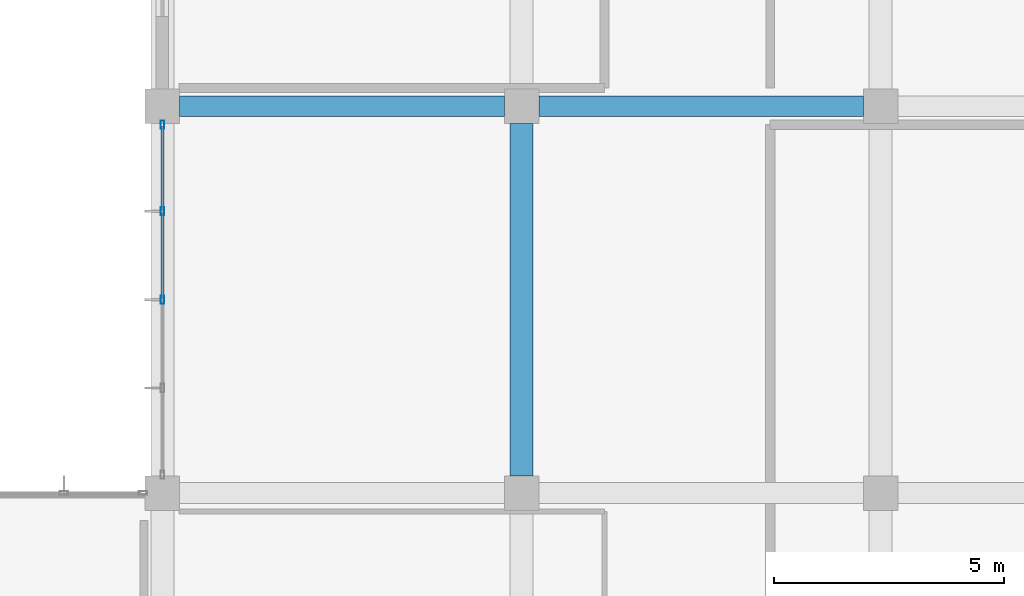
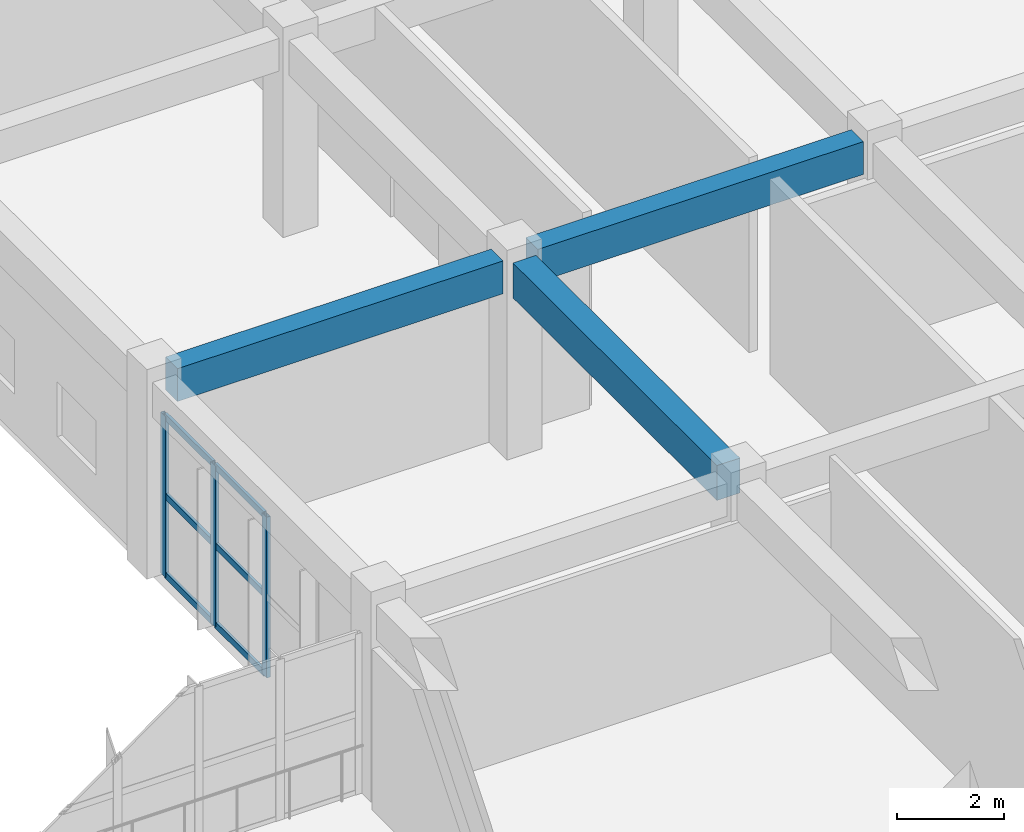
# One storey, part 64 of 175: 9 members, 3 beams, 1 element without a shape of its own.
"""IFC4 building model written with IfcOpenShell, lengths in metres."""

from ifc_helpers import new_model, si_unit, direction, frame, origin, origin_2d, place, context, subcontext, project, spatial, rectangle, hollow_rectangle, extrude, material, layer, layer_set, material_profile, profile_set, type_object, element, aggregate, save


model = new_model("IFC4")

# Units and contexts
model_context = context("Model", 3, precision=1e-05, world=origin(), true_north=direction((0.0, 1.0)))
body_context = subcontext(model_context, "Body", "Model", "MODEL_VIEW")
ifc_project = project(units=[si_unit("LENGTHUNIT", "METRE"), si_unit("AREAUNIT", "SQUARE_METRE"), si_unit("VOLUMEUNIT", "CUBIC_METRE"), si_unit("PLANEANGLEUNIT", "RADIAN"), si_unit("MASSUNIT", "GRAM", prefix="KILO")], contexts=[model_context])

# Site, building, storey
site_placement = place(None, origin())
site = spatial("IfcSite", under=ifc_project, at=site_placement, CompositionType="ELEMENT")
building_placement = place(site_placement, origin())
building = spatial("IfcBuilding", under=site, at=building_placement, Name="Zizhar Promenade General Hospital", CompositionType="ELEMENT")
storey_placement = place(building_placement, frame((0.0, 0.0, 4.800048828125)))
storey = spatial("IfcBuildingStorey", under=building, at=storey_placement, Name="L01", CompositionType="ELEMENT", Elevation=4.800048828125)

# Beams
ifc_material_1 = material(Name="Concrete C35/45", Category="concrete")
ifc_material_profile_1 = material_profile(ifc_material_1, rectangle(XDim=0.449951171875, YDim=0.75, at=origin_2d()))
ifc_profile_set_1 = profile_set([ifc_material_profile_1], Name="Concrete C35/45")
beam_type_1 = type_object("IfcBeamType", Name="BM-RC-450x750", PredefinedType="BEAM", material=ifc_profile_set_1)
beam_1_placement = place(storey_placement, frame((47.175048828125, 92.39990234375, 4.094970703125), z_axis=(1.0, 0.0, 0.0), x_axis=(0.0, 1.0, 0.0)))
element("IfcBeam", 1, at=beam_1_placement, inside=storey, type_object=beam_type_1, Name="Grid Beam X L01 (6-11)", PredefinedType="BEAM", context=body_context, shape_type="SweptSolid", body=[
    extrude(rectangle(XDim=0.449951171875, YDim=0.75, at=origin_2d()), origin(), (0.0, 0.0, 1.0), 7.050048828125),
])
beam_2_placement = place(storey_placement, frame((54.97509765625, 92.39990234375, 4.094970703125), z_axis=(1.0, 0.0, 0.0), x_axis=(0.0, 1.0, 0.0)))
element("IfcBeam", 2, at=beam_2_placement, inside=storey, type_object=beam_type_1, Name="Grid Beam X L01 (7-11)", PredefinedType="BEAM", context=body_context, shape_type="SweptSolid", body=[
    extrude(rectangle(XDim=0.449951171875, YDim=0.75, at=origin_2d()), origin(), (0.0, 0.0, 1.0), 7.0498046875),
])
ifc_material_2 = material(Name="Concrete C35/45", Category="concrete")
ifc_material_profile_2 = material_profile(ifc_material_2, rectangle(XDim=0.5, YDim=0.800048828125, at=origin_2d()))
ifc_profile_set_2 = profile_set([ifc_material_profile_2], Name="Concrete C35/45")
beam_type_2 = type_object("IfcBeamType", Name="BM-RC-500x800", PredefinedType="BEAM", material=ifc_profile_set_2)
beam_3_placement = place(storey_placement, frame((54.60009765625, 84.375, 4.070068359375), z_axis=(0.0, 1.0, 0.0), x_axis=(-1.0, 0.0, 0.0)))
element("IfcBeam", 3, at=beam_3_placement, inside=storey, type_object=beam_type_2, Name="Grid Beam Y L01 (7-10)", PredefinedType="BEAM", context=body_context, shape_type="SweptSolid", body=[
    extrude(rectangle(XDim=0.5, YDim=0.800048828125, at=origin_2d()), origin(), (0.0, 0.0, 1.0), 7.64990234375),
])

# Curtain wall, members
ifc_material_3 = material(Name="Anodised aluminium 6063-T6 and low-E glass", Category="aluminium")
ifc_layer = layer(ifc_material_3, 0.159912109375)
ifc_layer_set = layer_set([ifc_layer], Name="Anodised aluminium 6063-T6 and low-E glass")
curtain_wall_type = type_object("IfcCurtainWallType", Name="CW-DT-MOD1", PredefinedType="NOTDEFINED", material=ifc_layer_set)
curtain_wall_placement = place(storey_placement, origin())
curtain_wall = element("IfcCurtainWall", 4, at=curtain_wall_placement, inside=storey, type_object=curtain_wall_type, Name="Surgical West Glazed Curtain Wall L01-10", PredefinedType="NOTDEFINED")
ifc_material_4 = material(Name="Anodised aluminium 6063-T6", Category="aluminium")
ifc_material_profile_3 = material_profile(ifc_material_4, hollow_rectangle(XDim=0.080078125, YDim=0.179931640625, WallThickness=0.0048828125, at=origin_2d()))
ifc_profile_set_3 = profile_set([ifc_material_profile_3], Name="Anodised aluminium 6063-T6")
member_type_1 = type_object("IfcMemberType", Name="CWM-ALU-180x80", PredefinedType="MULLION", material=ifc_profile_set_3)
member_1_placement = place(storey_placement, frame((46.800048828125, 88.199951171875, 0.0), z_axis=(0.0, 0.0, 1.0), x_axis=(-1.0, 0.0, 0.0)))
member_1 = element("IfcMember", 5, at=member_1_placement, type_object=member_type_1, Name="CW-07 mullion 3", PredefinedType="MULLION", context=body_context, shape_type="SweptSolid", body=[
    extrude(hollow_rectangle(XDim=0.080078125, YDim=0.179931640625, WallThickness=0.0048828125, at=origin_2d()), origin(), (0.0, 0.0, 1.0), 3.679931640625),
])
member_2_placement = place(storey_placement, frame((46.800048828125, 90.1201171875, 0.0), z_axis=(0.0, 0.0, 1.0), x_axis=(-1.0, 0.0, 0.0)))
member_2 = element("IfcMember", 6, at=member_2_placement, type_object=member_type_1, Name="CW-07 mullion 4", PredefinedType="MULLION", context=body_context, shape_type="SweptSolid", body=[
    extrude(hollow_rectangle(XDim=0.080078125, YDim=0.179931640625, WallThickness=0.0048828125, at=origin_2d()), origin(), (0.0, 0.0, 1.0), 3.679931640625),
])
member_3_placement = place(storey_placement, frame((46.800048828125, 92.0, 0.0), z_axis=(0.0, 0.0, 1.0), x_axis=(-1.0, 0.0, 0.0)))
member_3 = element("IfcMember", 7, at=member_3_placement, type_object=member_type_1, Name="CW-07 mullion 5", PredefinedType="MULLION", context=body_context, shape_type="SweptSolid", body=[
    extrude(hollow_rectangle(XDim=0.080078125, YDim=0.179931640625, WallThickness=0.0048828125, at=origin_2d()), origin(), (0.0, 0.0, 1.0), 3.679931640625),
])
ifc_material_5 = material(Name="Anodised aluminium 6063-T6", Category="aluminium")
ifc_material_profile_4 = material_profile(ifc_material_5, hollow_rectangle(XDim=0.06005859375, YDim=0.14990234375, WallThickness=0.00390625, at=origin_2d()))
ifc_profile_set_4 = profile_set([ifc_material_profile_4], Name="Anodised aluminium 6063-T6")
member_type_2 = type_object("IfcMemberType", Name="CWT-ALU-150x60", PredefinedType="USERDEFINED", material=ifc_profile_set_4)
member_4_placement = place(storey_placement, frame((46.800048828125, 88.239990234375, 0.030029296875), z_axis=(0.0, 1.0, 0.0), x_axis=(-1.0, 0.0, 0.0)))
member_4 = element("IfcMember", 8, at=member_4_placement, type_object=member_type_2, Name="CW-07 transom 3.1", ObjectType="TRANSOM", PredefinedType="USERDEFINED", context=body_context, shape_type="SweptSolid", body=[
    extrude(hollow_rectangle(XDim=0.06005859375, YDim=0.14990234375, WallThickness=0.00390625, at=origin_2d()), origin(), (0.0, 0.0, 1.0), 1.840087890625),
])
member_5_placement = place(storey_placement, frame((46.800048828125, 88.239990234375, 1.83984375), z_axis=(0.0, 1.0, 0.0), x_axis=(-1.0, 0.0, 0.0)))
member_5 = element("IfcMember", 9, at=member_5_placement, type_object=member_type_2, Name="CW-07 transom 3.2", ObjectType="TRANSOM", PredefinedType="USERDEFINED", context=body_context, shape_type="SweptSolid", body=[
    extrude(hollow_rectangle(XDim=0.06005859375, YDim=0.14990234375, WallThickness=0.00390625, at=origin_2d()), origin(), (0.0, 0.0, 1.0), 1.840087890625),
])
member_6_placement = place(storey_placement, frame((46.800048828125, 88.239990234375, 3.64990234375), z_axis=(0.0, 1.0, 0.0), x_axis=(-1.0, 0.0, 0.0)))
member_6 = element("IfcMember", 10, at=member_6_placement, type_object=member_type_2, Name="CW-07 transom 3.3", ObjectType="TRANSOM", PredefinedType="USERDEFINED", context=body_context, shape_type="SweptSolid", body=[
    extrude(hollow_rectangle(XDim=0.06005859375, YDim=0.14990234375, WallThickness=0.00390625, at=origin_2d()), origin(), (0.0, 0.0, 1.0), 1.840087890625),
])
member_7_placement = place(storey_placement, frame((46.800048828125, 90.159912109375, 0.030029296875), z_axis=(0.0, 1.0, 0.0), x_axis=(-1.0, 0.0, 0.0)))
member_7 = element("IfcMember", 11, at=member_7_placement, type_object=member_type_2, Name="CW-07 transom 4.1", ObjectType="TRANSOM", PredefinedType="USERDEFINED", context=body_context, shape_type="SweptSolid", body=[
    extrude(hollow_rectangle(XDim=0.06005859375, YDim=0.14990234375, WallThickness=0.00390625, at=origin_2d()), origin(), (0.0, 0.0, 1.0), 1.800048828125),
])
member_8_placement = place(storey_placement, frame((46.800048828125, 90.159912109375, 1.83984375), z_axis=(0.0, 1.0, 0.0), x_axis=(-1.0, 0.0, 0.0)))
member_8 = element("IfcMember", 12, at=member_8_placement, type_object=member_type_2, Name="CW-07 transom 4.2", ObjectType="TRANSOM", PredefinedType="USERDEFINED", context=body_context, shape_type="SweptSolid", body=[
    extrude(hollow_rectangle(XDim=0.06005859375, YDim=0.14990234375, WallThickness=0.00390625, at=origin_2d()), origin(), (0.0, 0.0, 1.0), 1.800048828125),
])
member_9_placement = place(storey_placement, frame((46.800048828125, 90.159912109375, 3.64990234375), z_axis=(0.0, 1.0, 0.0), x_axis=(-1.0, 0.0, 0.0)))
member_9 = element("IfcMember", 13, at=member_9_placement, type_object=member_type_2, Name="CW-07 transom 4.3", ObjectType="TRANSOM", PredefinedType="USERDEFINED", context=body_context, shape_type="SweptSolid", body=[
    extrude(hollow_rectangle(XDim=0.06005859375, YDim=0.14990234375, WallThickness=0.00390625, at=origin_2d()), origin(), (0.0, 0.0, 1.0), 1.800048828125),
])
aggregate(curtain_wall, [member_1, member_2, member_3, member_4, member_5, member_6, member_7, member_8, member_9])

save(model, "model.ifc")
